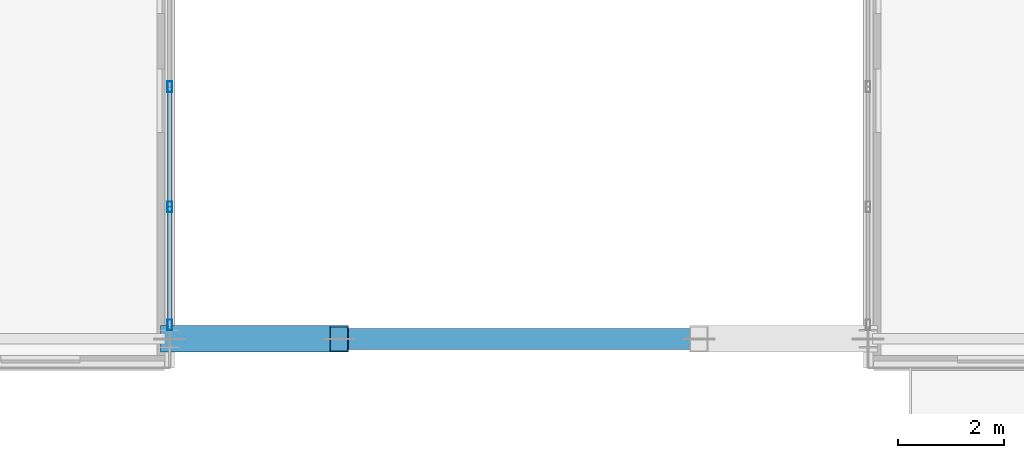
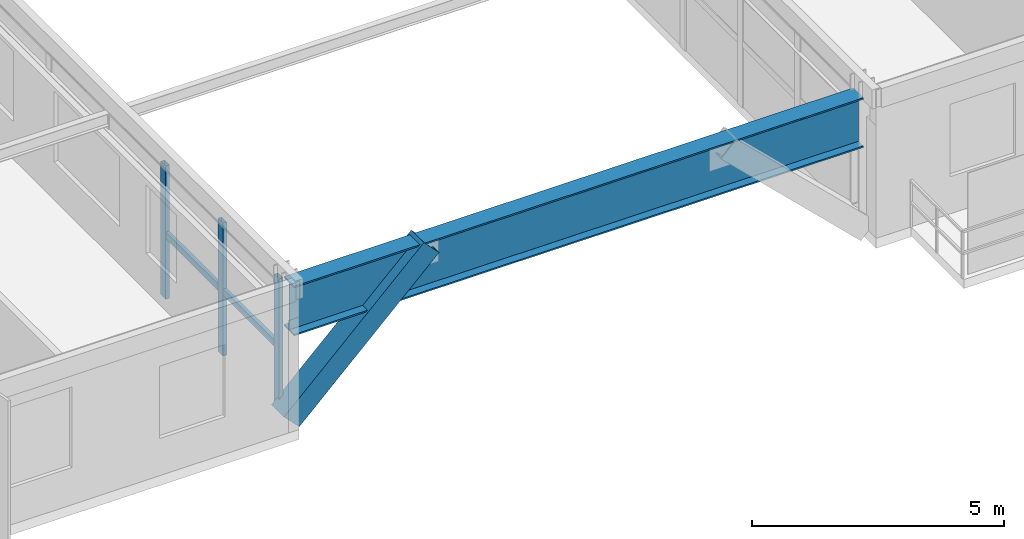
# One storey, part 6 of 37: 6 members, 1 beam, 1 element without a shape of its own.
"""IFC4 building model written with IfcOpenShell, lengths in metres."""

import ifcopenshell
import ifcopenshell.guid

model = None  # the IFC model being written
_history = None  # IfcOwnerHistory: only IFC2X3 demands one
_inside = {}  # id of a spatial element -> (the spatial element, [elements in it])
_under = {}  # id of a project, library or spatial element -> (it, [spatial elements below it])
_declared = {}  # id of a project -> (the project, [libraries it declares])
_typed = {}  # id of a type object -> (the type object, [elements of that type])
_made_of = {}  # id of a material, layer set ... -> (it, [elements and type objects made of it])


def new_model(schema):
    """Start an empty IFC model of exactly this schema.

    Asked for "IFC4X3", IfcOpenShell would pick the latest addendum, in which some entities
    have other attributes; the version numbers below select the first issue.
    IFC2X3 requires an IfcOwnerHistory on every rooted entity: one is made here for all.
    """
    global model, _history
    if schema == "IFC4X3":
        model = ifcopenshell.file(schema_version=(4, 3, 0, 0))
    else:
        model = ifcopenshell.file(schema=schema)
    _inside.clear()
    _under.clear()
    _declared.clear()
    _typed.clear()
    _made_of.clear()
    _history = None
    if model.schema == "IFC2X3":
        org = make("IfcOrganization", Name="unknown")
        user = make(
            "IfcPersonAndOrganization",
            ThePerson=make("IfcPerson", FamilyName="unknown"),
            TheOrganization=org,
        )
        app = make(
            "IfcApplication",
            ApplicationDeveloper=org,
            Version="unknown",
            ApplicationFullName="unknown",
            ApplicationIdentifier="unknown",
        )
        _history = make(
            "IfcOwnerHistory",
            OwningUser=user,
            OwningApplication=app,
            ChangeAction="ADDED",
            CreationDate=0,
        )
    return model


def make(cls, **values):
    """One entity of the class cls with the attributes given. An attribute that is None is left unset."""
    return model.create_entity(
        cls, **{name: value for name, value in values.items() if value is not None}
    )


def rooted(cls, **values):
    """An entity with a GlobalId (a new one), such as an element, a storey or a relation."""
    return make(cls, GlobalId=ifcopenshell.guid.new(), OwnerHistory=_history, **values)


def si_unit(unit_type, name, prefix=None):
    """IfcSIUnit, for example si_unit("LENGTHUNIT", "METRE", prefix="MILLI")."""
    return make("IfcSIUnit", UnitType=unit_type, Prefix=prefix, Name=name)


def assignment(units):
    """IfcUnitAssignment: the units of a project."""
    return None if units is None else make("IfcUnitAssignment", Units=units)


def point(xyz):
    """IfcCartesianPoint."""
    return None if xyz is None else make("IfcCartesianPoint", Coordinates=xyz)


def direction(xyz):
    """IfcDirection."""
    return None if xyz is None else make("IfcDirection", DirectionRatios=xyz)


def frame(location, z_axis=None, x_axis=None):
    """IfcAxis2Placement3D, a coordinate frame: its origin and axes. An axis left out is left unset."""
    return make(
        "IfcAxis2Placement3D",
        Location=point(location),
        Axis=direction(z_axis),
        RefDirection=direction(x_axis),
    )


def frame_2d(location, x_axis=None):
    """IfcAxis2Placement2D, a coordinate frame in the plane: its origin and x axis."""
    return make(
        "IfcAxis2Placement2D", Location=point(location), RefDirection=direction(x_axis)
    )


def origin():
    """The frame at (0, 0, 0) with its axes left unset."""
    return frame((0.0, 0.0, 0.0))


def origin_2d():
    """The frame at (0, 0) in the plane with its x axis left unset."""
    return frame_2d((0.0, 0.0))


def place(relative_to, where):
    """IfcLocalPlacement: puts the frame where relative to a parent placement (None: the world)."""
    return make(
        "IfcLocalPlacement", PlacementRelTo=relative_to, RelativePlacement=where
    )


def context(
    kind, dimensions, precision=None, world=None, true_north=None, identifier=None
):
    """IfcGeometricRepresentationContext, for example the 3D "Model" context."""
    return make(
        "IfcGeometricRepresentationContext",
        ContextIdentifier=identifier,
        ContextType=kind,
        CoordinateSpaceDimension=dimensions,
        Precision=precision,
        WorldCoordinateSystem=world,
        TrueNorth=true_north,
    )


def subcontext(parent, identifier, kind, view, scale=None):
    """IfcGeometricRepresentationSubContext, for example "Body" below "Model"."""
    return make(
        "IfcGeometricRepresentationSubContext",
        ContextIdentifier=identifier,
        ContextType=kind,
        ParentContext=parent,
        TargetScale=scale,
        TargetView=view,
    )


def project(units=None, contexts=None):
    """IfcProject with its units and contexts."""
    return rooted(
        "IfcProject",
        Name="project",
        RepresentationContexts=contexts,
        UnitsInContext=assignment(units),
    )


def spatial(cls, under=None, at=None, **own):
    """A site, building, storey or space (cls), placed at a placement, below another one or the project."""
    s = rooted(cls, ObjectPlacement=at, **own)
    if under is not None:
        _under.setdefault(under.id(), (under, []))[1].append(s)
    return s


def profile(cls, at=None, kind="AREA", **sizes):
    """A parametric profile (cls). Its sizes go by their IFC names, for example OverallWidth=200.0."""
    return make(cls, ProfileType=kind, Position=at, **sizes)


def hollow_rectangle(**sizes):
    """IfcRectangleHollowProfileDef."""
    return profile("IfcRectangleHollowProfileDef", **sizes)


def i_section(**sizes):
    """IfcIShapeProfileDef."""
    return profile("IfcIShapeProfileDef", **sizes)


def extrude(swept, where, along, depth):
    """IfcExtrudedAreaSolid: the profile swept, set in the frame where, extruded along a direction by depth."""
    return make(
        "IfcExtrudedAreaSolid",
        SweptArea=swept,
        Position=where,
        ExtrudedDirection=direction(along),
        Depth=depth,
    )


def shape(context_of_items, identifier, shape_type, items):
    """IfcShapeRepresentation: the items that make up one representation, for example the "Body"."""
    return make(
        "IfcShapeRepresentation",
        ContextOfItems=context_of_items,
        RepresentationIdentifier=identifier,
        RepresentationType=shape_type,
        Items=items,
    )


def source(mapping_origin, context_of_items, identifier, shape_type, items):
    """IfcRepresentationMap: a shape defined once, which mapped items show again and again."""
    return make(
        "IfcRepresentationMap",
        MappingOrigin=mapping_origin,
        MappedRepresentation=shape(context_of_items, identifier, shape_type, items),
    )


def transform(
    local_origin,
    x_axis=None,
    y_axis=None,
    z_axis=None,
    scale=None,
    scale2=None,
    scale3=None,
    uniform=True,
):
    """IfcCartesianTransformationOperator3D, or its non-uniform kind. x_axis, y_axis, z_axis: its Axis1, 2, 3."""
    if uniform:
        return make(
            "IfcCartesianTransformationOperator3D",
            Axis1=direction(x_axis),
            Axis2=direction(y_axis),
            LocalOrigin=point(local_origin),
            Scale=scale,
            Axis3=direction(z_axis),
        )
    return make(
        "IfcCartesianTransformationOperator3DnonUniform",
        Axis1=direction(x_axis),
        Axis2=direction(y_axis),
        LocalOrigin=point(local_origin),
        Scale=scale,
        Axis3=direction(z_axis),
        Scale2=scale2,
        Scale3=scale3,
    )


def mapped(mapping_source, mapping_target):
    """IfcMappedItem: shows the shape of a source again, moved by a transform."""
    return make(
        "IfcMappedItem", MappingSource=mapping_source, MappingTarget=mapping_target
    )


def material(Name=None, Category=None):
    """IfcMaterial."""
    return make("IfcMaterial", Name=Name, Category=Category)


def material_profile(
    of_material, cross_section, Name=None, Category=None, Priority=None
):
    """IfcMaterialProfile: a cross section and its material."""
    return make(
        "IfcMaterialProfile",
        Name=Name,
        Material=of_material,
        Profile=cross_section,
        Priority=Priority,
        Category=Category,
    )


def profile_set(profiles, Name=None, composite=None):
    """IfcMaterialProfileSet."""
    return make(
        "IfcMaterialProfileSet",
        Name=Name,
        MaterialProfiles=profiles,
        CompositeProfile=composite,
    )


def made_of(thing, what):
    """Note that an element or type object is made of a material, layer set ...; save() writes the relation."""
    if what is not None:
        _made_of.setdefault(what.id(), (what, []))[1].append(thing)
    return thing


def type_object(cls, material=None, **own):
    """A type object (cls), such as IfcWallType, which elements share."""
    return made_of(rooted(cls, **own), material)


def element(
    cls,
    number,
    at=None,
    inside=None,
    cuts=None,
    type_object=None,
    material=None,
    context=None,
    identifier="Body",
    shape_type=None,
    held_by="IfcProductDefinitionShape",
    body=None,
    shapes=None,
    **own,
):
    """One element of the class cls, such as IfcWall. Its Tag is "e" and its number.

    at: its placement. inside: the storey or other place that contains it. cuts: it is an
    opening in that element (IfcRelVoidsElement). A single representation is given by context,
    identifier, shape_type and body (its items); several are given by shapes. held_by: the class
    of the entity that holds the representations. save() writes the other relations.
    """
    e = rooted(cls, Tag="e%d" % number, ObjectPlacement=at, **own)
    if body is not None:
        shapes = [shape(context, identifier, shape_type, body)]
    if shapes is not None:
        e.Representation = make(held_by, Representations=shapes)
    if inside is not None:
        _inside.setdefault(inside.id(), (inside, []))[1].append(e)
    if cuts is not None:
        rooted(
            "IfcRelVoidsElement", RelatingBuildingElement=cuts, RelatedOpeningElement=e
        )
    if type_object is not None:
        _typed.setdefault(type_object.id(), (type_object, []))[1].append(e)
    return made_of(e, material)


def aggregate(whole, parts):
    """IfcRelAggregates: a whole, such as a stair, and the parts it consists of."""
    return rooted("IfcRelAggregates", RelatingObject=whole, RelatedObjects=parts)


def save(model, path):
    """Write the relations noted so far, then the file.

    IfcRelAggregates (storeys below a building ...), IfcRelContainedInSpatialStructure (elements
    in a storey), IfcRelDefinesByType, IfcRelAssociatesMaterial and IfcRelDeclares: one each for
    every whole, place, type object, material and project.
    """
    for whole, parts in _under.values():
        aggregate(whole, parts)
    for where, things in _inside.values():
        rooted(
            "IfcRelContainedInSpatialStructure",
            RelatedElements=things,
            RelatingStructure=where,
        )
    for kind, things in _typed.values():
        rooted("IfcRelDefinesByType", RelatedObjects=things, RelatingType=kind)
    for what, things in _made_of.values():
        rooted("IfcRelAssociatesMaterial", RelatedObjects=things, RelatingMaterial=what)
    for by, libraries in _declared.values():
        rooted("IfcRelDeclares", RelatingContext=by, RelatedDefinitions=libraries)
    model.write(path)


model = new_model("IFC4")

# Units and contexts
model_context = context("Model", 3, precision=1e-05, world=origin(), true_north=direction((0.0, 1.0)))
body_context = subcontext(model_context, "Body", "Model", "MODEL_VIEW")
ifc_project = project(units=[si_unit("LENGTHUNIT", "METRE"), si_unit("AREAUNIT", "SQUARE_METRE"), si_unit("VOLUMEUNIT", "CUBIC_METRE"), si_unit("PLANEANGLEUNIT", "RADIAN"), si_unit("MASSUNIT", "GRAM", prefix="KILO")], contexts=[model_context])

# Site, building, storey
site_placement = place(None, origin())
site = spatial("IfcSite", under=ifc_project, at=site_placement, CompositionType="ELEMENT")
building_placement = place(site_placement, origin())
building = spatial("IfcBuilding", under=site, at=building_placement, Name="Trelvane Seafront Commons", CompositionType="ELEMENT")
storey_placement = place(building_placement, frame((0.0, 0.0, 201.300048828125)))
storey = spatial("IfcBuildingStorey", under=building, at=storey_placement, Name="L52", CompositionType="ELEMENT", Elevation=201.300048828125)

# Beam
ifc_material_1 = material(Name="Steel SM355 (S355)", Category="steel")
ifc_material_profile_1 = material_profile(ifc_material_1, i_section(OverallWidth=0.39990234375, OverallDepth=1.199951171875, WebThickness=0.02001953125, FlangeThickness=0.035888671875, at=origin_2d()), Name="W-1200x400x20x36")
ifc_profile_set_1 = profile_set([ifc_material_profile_1], Name="Steel SM355 (S355)")
beam_type = type_object("IfcBeamType", Name="STR-TRG-W1200", PredefinedType="BEAM", material=ifc_profile_set_1)
shared_shape_1 = source(origin(), body_context, "Body", "SweptSolid", [
    extrude(i_section(OverallWidth=0.39990234375, OverallDepth=1.199951171875, WebThickness=0.02001953125, FlangeThickness=0.035888671875, at=origin_2d()), origin(), (0.0, 0.0, 1.0), 13.02490234375),
])
beam_placement = place(storey_placement, frame((30.6875, 3.949951171875, 2.619873046875), z_axis=(1.0, 0.0, 0.0), x_axis=(0.0, 1.0, 0.0)))
element("IfcBeam", 1, at=beam_placement, inside=storey, type_object=beam_type, Name="L52 Transfer Girder TG-04", PredefinedType="BEAM", context=body_context, shape_type="MappedRepresentation", body=[
    mapped(shared_shape_1, transform((0.0, 0.0, 0.0), x_axis=(1.0, 0.0, 0.0), y_axis=(0.0, 1.0, 0.0), z_axis=(0.0, 0.0, 1.0), scale=1.0)),
])

# Member
ifc_material_profile_2 = material_profile(ifc_material_1, hollow_rectangle(XDim=0.5, YDim=0.5, WallThickness=0.02197265625, at=origin_2d()), Name="RHS-500x500x22")
ifc_profile_set_2 = profile_set([ifc_material_profile_2], Name="Steel SM355 (S355)")
member_type_1 = type_object("IfcMemberType", Name="STR-BRC-RHS500", PredefinedType="BRACE", material=ifc_profile_set_2)
shared_shape_2 = source(origin(), body_context, "Body", "SweptSolid", [
    extrude(hollow_rectangle(XDim=0.5, YDim=0.5, WallThickness=0.02197265625, at=origin_2d()), origin(), (0.0, 0.0, 1.0), 4.455078125),
])
member_1_placement = place(storey_placement, frame((30.60009765625, 3.949951171875, 0.0), z_axis=(0.71825134815, 0.0, 0.6957837314), x_axis=(0.0, 1.0, 0.0)))
element("IfcMember", 2, at=member_1_placement, inside=storey, type_object=member_type_1, Name="L52 Void-Portal V-Frame Strut VS-SW", PredefinedType="BRACE", context=body_context, shape_type="MappedRepresentation", body=[
    mapped(shared_shape_2, transform((0.0, 0.0, 0.0), x_axis=(1.0, 0.0, 0.0), y_axis=(0.0, 1.0, 0.0), z_axis=(0.0, 0.0, 1.0), scale=1.0)),
])

# Curtain wall, members
ifc_material_2 = material(Name="Anodised pale-silver aluminium", Category="aluminium")
curtain_wall_type = type_object("IfcCurtainWallType", Name="ARCH-CW3-PORTAL", PredefinedType="NOTDEFINED", material=ifc_material_2)
curtain_wall_placement = place(storey_placement, origin())
curtain_wall = element("IfcCurtainWall", 3, at=curtain_wall_placement, inside=storey, type_object=curtain_wall_type, Name="CW-L52-VP-0091", PredefinedType="NOTDEFINED")
ifc_material_profile_3 = material_profile(ifc_material_2, hollow_rectangle(XDim=0.090087890625, YDim=0.199951171875, WallThickness=0.0048828125, at=origin_2d()), Name="MULL-90x200x5")
ifc_profile_set_3 = profile_set([ifc_material_profile_3], Name="Anodised pale-silver aluminium")
member_type_2 = type_object("IfcMemberType", Name="ARCH-CW-MULL-200", PredefinedType="MULLION", material=ifc_profile_set_3)
shared_shape_3 = source(origin(), body_context, "Body", "SweptSolid", [
    extrude(hollow_rectangle(XDim=0.090087890625, YDim=0.199951171875, WallThickness=0.0048828125, at=origin_2d()), origin(), (0.0, 0.0, 1.0), 3.219970703125),
])
member_2_placement = place(storey_placement, frame((30.60009765625, 4.215087890625, 0.0), z_axis=(0.0, 0.0, 1.0), x_axis=(1.0, 0.0, 0.0)))
member_2 = element("IfcMember", 4, at=member_2_placement, type_object=member_type_2, Name="CW-L52-VP-0091-M00", PredefinedType="MULLION", context=body_context, shape_type="MappedRepresentation", body=[
    mapped(shared_shape_3, transform((0.0, 0.0, 0.0), x_axis=(1.0, 0.0, 0.0), y_axis=(0.0, 1.0, 0.0), z_axis=(0.0, 0.0, 1.0), scale=1.0)),
])
member_3_placement = place(storey_placement, frame((30.60009765625, 6.44580078125, 0.0), z_axis=(0.0, 0.0, 1.0), x_axis=(1.0, 0.0, 0.0)))
member_3 = element("IfcMember", 5, at=member_3_placement, type_object=member_type_2, Name="CW-L52-VP-0091-M01", PredefinedType="MULLION", context=body_context, shape_type="MappedRepresentation", body=[
    mapped(shared_shape_3, transform((0.0, 0.0, 0.0), x_axis=(1.0, 0.0, 0.0), y_axis=(0.0, 1.0, 0.0), z_axis=(0.0, 0.0, 1.0), scale=1.0)),
])
member_4_placement = place(storey_placement, frame((30.60009765625, 8.716796875, 0.0), z_axis=(0.0, 0.0, 1.0), x_axis=(1.0, 0.0, 0.0)))
member_4 = element("IfcMember", 6, at=member_4_placement, type_object=member_type_2, Name="CW-L52-VP-0091-M02", PredefinedType="MULLION", context=body_context, shape_type="MappedRepresentation", body=[
    mapped(shared_shape_3, transform((0.0, 0.0, 0.0), x_axis=(1.0, 0.0, 0.0), y_axis=(0.0, 1.0, 0.0), z_axis=(0.0, 0.0, 1.0), scale=1.0)),
])
ifc_material_profile_4 = material_profile(ifc_material_2, hollow_rectangle(XDim=0.080078125, YDim=0.159912109375, WallThickness=0.00439453125, at=origin_2d()), Name="TRAN-80x160x4.5")
ifc_profile_set_4 = profile_set([ifc_material_profile_4], Name="Anodised pale-silver aluminium")
member_type_3 = type_object("IfcMemberType", Name="ARCH-CW-TRAN-160", PredefinedType="USERDEFINED", material=ifc_profile_set_4)
shared_shape_4 = source(origin(), body_context, "Body", "SweptSolid", [
    extrude(hollow_rectangle(XDim=0.080078125, YDim=0.159912109375, WallThickness=0.00439453125, at=origin_2d()), origin(), (0.0, 0.0, 1.0), 2.246826171875),
])
member_5_placement = place(storey_placement, frame((30.60009765625, 4.18701171875, 1.5458984375), z_axis=(0.0, 1.0, 0.0), x_axis=(-1.0, 0.0, 0.0)))
member_5 = element("IfcMember", 7, at=member_5_placement, type_object=member_type_3, Name="CW-L52-VP-0091-T00", ObjectType="TRANSOM", PredefinedType="USERDEFINED", context=body_context, shape_type="MappedRepresentation", body=[
    mapped(shared_shape_4, transform((0.0, 0.0, 0.0), x_axis=(1.0, 0.0, 0.0), y_axis=(0.0, 1.0, 0.0), z_axis=(0.0, 0.0, 1.0), scale=1.0)),
])
member_6_placement = place(storey_placement, frame((30.60009765625, 6.457763671875, 1.5458984375), z_axis=(0.0, 1.0, 0.0), x_axis=(-1.0, 0.0, 0.0)))
member_6 = element("IfcMember", 8, at=member_6_placement, type_object=member_type_3, Name="CW-L52-VP-0091-T01", ObjectType="TRANSOM", PredefinedType="USERDEFINED", context=body_context, shape_type="MappedRepresentation", body=[
    mapped(shared_shape_4, transform((0.0, 0.0, 0.0), x_axis=(1.0, 0.0, 0.0), y_axis=(0.0, 1.0, 0.0), z_axis=(0.0, 0.0, 1.0), scale=1.0)),
])
aggregate(curtain_wall, [member_2, member_3, member_4, member_5, member_6])

save(model, "model.ifc")
